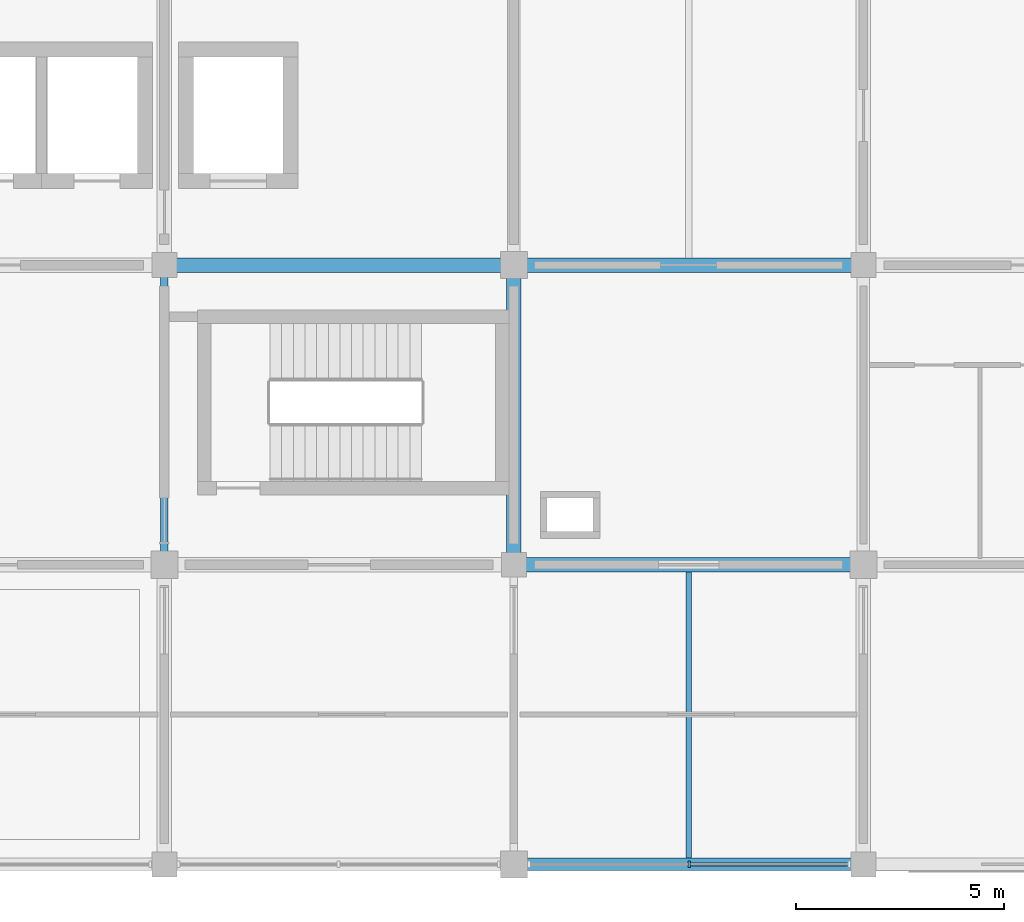
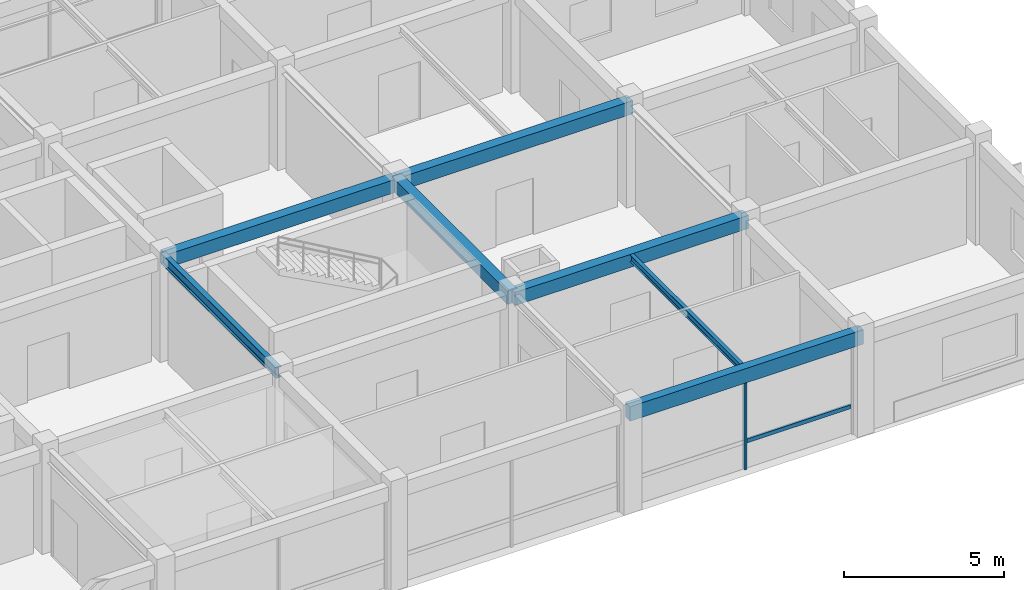
# One storey, part 3 of 13: 7 beams, 2 members, 1 element without a shape of its own.
"""IFC4 building model written with IfcOpenShell, lengths in metres."""

from ifc_helpers import new_model, si_unit, derived_unit, direction, frame, origin, origin_2d, place, context, subcontext, project, spatial, rectangle, i_section, extrude, material, material_profile, profile_set, type_object, element, aggregate, save


model = new_model("IFC4")

# Units and contexts
model_context = context("Model", 3, precision=1e-05, world=origin(), true_north=direction((0.0, 1.0)))
body_context = subcontext(model_context, "Body", "Model", "MODEL_VIEW")
ifc_project = project(units=[si_unit("LENGTHUNIT", "METRE"), si_unit("AREAUNIT", "SQUARE_METRE"), si_unit("VOLUMEUNIT", "CUBIC_METRE"), si_unit("PLANEANGLEUNIT", "RADIAN"), si_unit("MASSUNIT", "GRAM", prefix="KILO"), derived_unit("THERMALTRANSMITTANCEUNIT", [(si_unit("MASSUNIT", "GRAM", prefix="KILO"), 1), (si_unit("TIMEUNIT", "SECOND"), -3), (si_unit("THERMODYNAMICTEMPERATUREUNIT", "KELVIN"), -1)])], contexts=[model_context])

# Site, building, storey
site_placement = place(None, origin())
site = spatial("IfcSite", under=ifc_project, at=site_placement, CompositionType="ELEMENT")
building_placement = place(site_placement, origin())
building = spatial("IfcBuilding", under=site, at=building_placement, Name="Veldstrom Oceanarium and Marine Research Institute", CompositionType="ELEMENT")
storey_placement = place(building_placement, frame((0.0, 0.0, 56.39990234375)))
storey = spatial("IfcBuildingStorey", under=building, at=storey_placement, Name="L12", CompositionType="ELEMENT", Elevation=56.39990234375)

# Curtain wall, members
ifc_material_1 = material(Name="Anodised Aluminium Framing", Category="aluminium")
curtain_wall_type = type_object("IfcCurtainWallType", Name="ARC-CW-CW04", PredefinedType="USERDEFINED", material=ifc_material_1)
curtain_wall_placement = place(storey_placement, origin())
curtain_wall = element("IfcCurtainWall", 1, at=curtain_wall_placement, inside=storey, type_object=curtain_wall_type, Name="Curtain Wall CW04 CW-L12-165", ObjectType="Curtain wall", PredefinedType="USERDEFINED")
ifc_material_2 = material(Name="Anodised Aluminium Framing", Category="aluminium")
ifc_material_profile_1 = material_profile(ifc_material_2, rectangle(XDim=0.06494140625, YDim=0.14990234375, at=origin_2d()), Name="ALU-MUL-65x150")
ifc_profile_set_1 = profile_set([ifc_material_profile_1], Name="Anodised Aluminium Framing")
member_type_1 = type_object("IfcMemberType", Name="ARC-MUL-ML2", PredefinedType="MULLION", material=ifc_profile_set_1)
member_1_placement = place(storey_placement, frame((105.012451171875, 43.199951171875, 0.0), z_axis=(0.0, 0.0, 1.0), x_axis=(1.0, 0.0, 0.0)))
member_1 = element("IfcMember", 2, at=member_1_placement, type_object=member_type_1, Name="Curtain Wall Mullion CW-L12-165-MUL-2", PredefinedType="MULLION", context=body_context, shape_type="SweptSolid", body=[
    extrude(rectangle(XDim=0.06494140625, YDim=0.14990234375, at=origin_2d()), origin(), (0.0, 0.0, 1.0), 3.85009765625),
])
ifc_material_3 = material(Name="Anodised Aluminium Framing", Category="aluminium")
ifc_material_profile_2 = material_profile(ifc_material_3, rectangle(XDim=0.074951171875, YDim=0.14990234375, at=origin_2d()), Name="ALU-TRN-75x150")
ifc_profile_set_2 = profile_set([ifc_material_profile_2], Name="Anodised Aluminium Framing")
member_type_2 = type_object("IfcMemberType", Name="ARC-TRN-TR1", PredefinedType="USERDEFINED", material=ifc_profile_set_2)
member_2_placement = place(storey_placement, frame((105.052490234375, 43.199951171875, 1.050048828125), z_axis=(1.0, 0.0, 0.0), x_axis=(0.0, 1.0, 0.0)))
member_2 = element("IfcMember", 3, at=member_2_placement, type_object=member_type_2, Name="Curtain Wall Transom CW-L12-165-TRN-2", ObjectType="Transom", PredefinedType="USERDEFINED", context=body_context, shape_type="SweptSolid", body=[
    extrude(rectangle(XDim=0.074951171875, YDim=0.14990234375, at=origin_2d()), origin(), (0.0, 0.0, 1.0), 3.767578125),
])
aggregate(curtain_wall, [member_1, member_2])

# Beams
ifc_material_4 = material(Name="Concrete C40/50", Category="concrete")
ifc_material_profile_3 = material_profile(ifc_material_4, rectangle(XDim=0.35009765625, YDim=0.5, at=origin_2d()), Name="RC-BM-350x500")
ifc_profile_set_3 = profile_set([ifc_material_profile_3], Name="Concrete C40/50")
beam_type_1 = type_object("IfcBeamType", Name="STR-BM-B08", PredefinedType="BEAM", material=ifc_profile_set_3)
beam_1_placement = place(storey_placement, frame((92.39990234375, 57.60009765625, 3.6650390625), z_axis=(1.0, 0.0, 0.0), x_axis=(0.0, 1.0, 0.0)))
element("IfcBeam", 4, at=beam_1_placement, inside=storey, type_object=beam_type_1, Name="Primary Beam B08 L12-2680", PredefinedType="BEAM", context=body_context, shape_type="SweptSolid", body=[
    extrude(rectangle(XDim=0.35009765625, YDim=0.5, at=origin_2d()), origin(), (0.0, 0.0, 1.0), 8.400146484375),
])
for number, where, z_axis, x_axis, name in (
    (5, (100.800048828125, 50.39990234375, 3.6650390625), (1.0, 0.0, 0.0), (0.0, 1.0, 0.0), "Primary Beam B08 L12-2684"),
    (6, (100.800048828125, 57.60009765625, 3.6650390625), (1.0, 0.0, 0.0), (0.0, 1.0, 0.0), "Primary Beam B08 L12-2685"),
):
    element("IfcBeam", number, at=place(storey_placement, frame(where, z_axis=z_axis, x_axis=x_axis)), inside=storey, type_object=beam_type_1, Name=name, PredefinedType="BEAM", context=body_context, shape_type="SweptSolid", body=[
        extrude(rectangle(XDim=0.35009765625, YDim=0.5, at=origin_2d()), origin(), (0.0, 0.0, 1.0), 8.39990234375),
    ])
beam_2_placement = place(storey_placement, frame((100.800048828125, 50.39990234375, 3.6650390625), z_axis=(0.0, 1.0, 0.0), x_axis=(-1.0, 0.0, 0.0)))
element("IfcBeam", 7, at=beam_2_placement, inside=storey, type_object=beam_type_1, Name="Primary Beam B08 L12-2705", PredefinedType="BEAM", context=body_context, shape_type="SweptSolid", body=[
    extrude(rectangle(XDim=0.35009765625, YDim=0.5, at=origin_2d()), origin(), (0.0, 0.0, 1.0), 7.2001953125),
])
ifc_material_5 = material(Name="Steel S355JR", Category="steel")
ifc_material_profile_4 = material_profile(ifc_material_5, i_section(OverallWidth=0.179931640625, OverallDepth=0.39990234375, WebThickness=0.008544921875, FlangeThickness=0.013427734375, FilletRadius=0.02099609375, at=origin_2d()), Name="IPE 400")
ifc_profile_set_4 = profile_set([ifc_material_profile_4], Name="Steel S355JR")
beam_type_2 = type_object("IfcBeamType", Name="STR-BM-SB8", PredefinedType="BEAM", material=ifc_profile_set_4)
beam_3_placement = place(storey_placement, frame((92.39990234375, 50.39990234375, 3.715087890625), z_axis=(0.0, 1.0, 0.0), x_axis=(-1.0, 0.0, 0.0)))
element("IfcBeam", 8, at=beam_3_placement, inside=storey, type_object=beam_type_2, Name="Steel Tie Beam SB8 L12-2701", PredefinedType="BEAM", context=body_context, shape_type="SweptSolid", body=[
    extrude(i_section(OverallWidth=0.179931640625, OverallDepth=0.39990234375, WebThickness=0.008544921875, FlangeThickness=0.013427734375, FilletRadius=0.02099609375, at=origin_2d()), origin(), (0.0, 0.0, 1.0), 7.2001953125),
])
ifc_material_6 = material(Name="Steel S355JR", Category="steel")
ifc_material_profile_5 = material_profile(ifc_material_6, i_section(OverallWidth=0.135009765625, OverallDepth=0.27001953125, WebThickness=0.006591796875, FlangeThickness=0.01025390625, FilletRadius=0.014892578125, at=origin_2d()), Name="IPE 270")
ifc_profile_set_5 = profile_set([ifc_material_profile_5], Name="Steel S355JR")
beam_type_3 = type_object("IfcBeamType", Name="STR-JST-SJ3", PredefinedType="JOIST", material=ifc_profile_set_5)
beam_4_placement = place(storey_placement, frame((105.0, 43.35009765625, 3.780029296875), z_axis=(0.0, 1.0, 0.0), x_axis=(-1.0, 0.0, 0.0)))
element("IfcBeam", 9, at=beam_4_placement, inside=storey, type_object=beam_type_3, Name="Secondary Joist SJ3 L12-2718", PredefinedType="JOIST", context=body_context, shape_type="SweptSolid", body=[
    extrude(i_section(OverallWidth=0.135009765625, OverallDepth=0.27001953125, WebThickness=0.006591796875, FlangeThickness=0.01025390625, FilletRadius=0.014892578125, at=origin_2d()), origin(), (0.0, 0.0, 1.0), 6.875),
])
ifc_material_7 = material(Name="Concrete C40/50", Category="concrete")
ifc_material_profile_6 = material_profile(ifc_material_7, rectangle(XDim=0.300048828125, YDim=0.550048828125, at=origin_2d()), Name="RC-SPN-300x550")
ifc_profile_set_6 = profile_set([ifc_material_profile_6], Name="Concrete C40/50")
beam_type_4 = type_object("IfcBeamType", Name="STR-SPN-SP2", PredefinedType="SPANDREL", material=ifc_profile_set_6)
beam_5_placement = place(storey_placement, frame((100.800048828125, 43.199951171875, 3.64013671875), z_axis=(1.0, 0.0, 0.0), x_axis=(0.0, 1.0, 0.0)))
element("IfcBeam", 10, at=beam_5_placement, inside=storey, type_object=beam_type_4, Name="Perimeter Spandrel SPB2 L12-2683", PredefinedType="SPANDREL", context=body_context, shape_type="SweptSolid", body=[
    extrude(rectangle(XDim=0.300048828125, YDim=0.550048828125, at=origin_2d()), origin(), (0.0, 0.0, 1.0), 8.39990234375),
])

save(model, "model.ifc")
